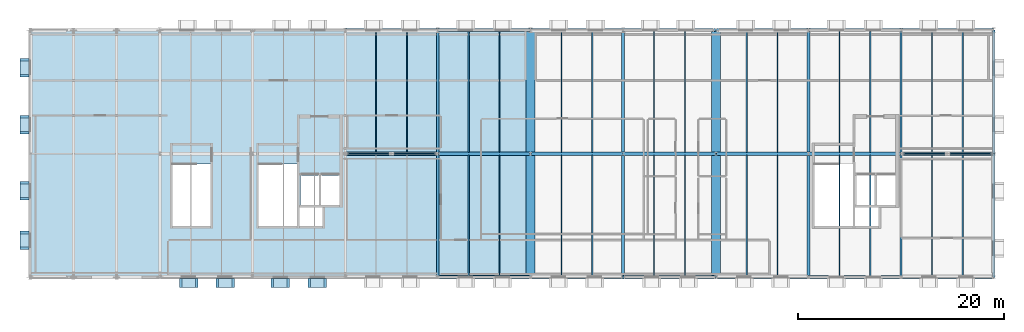
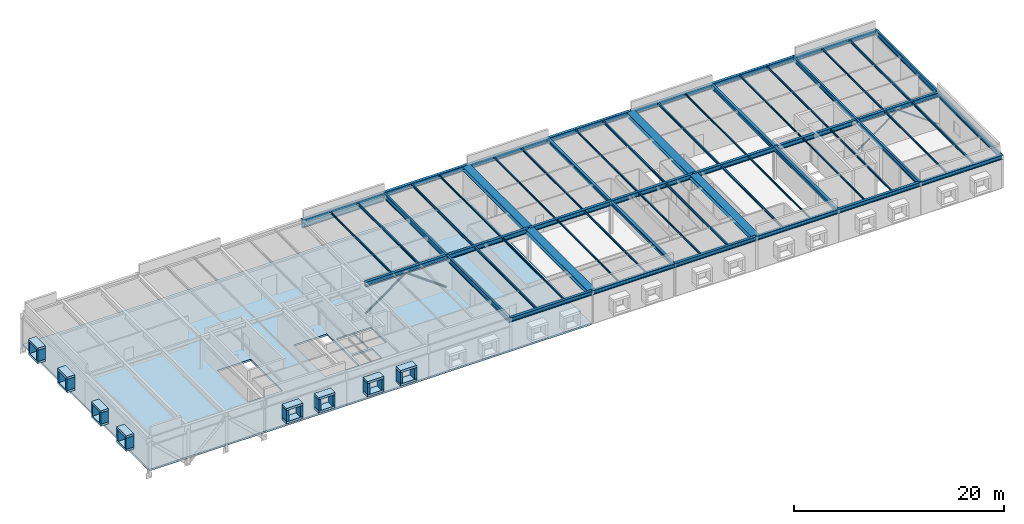
# One storey, part 5 of 16: 60 beams, 32 plates, 4 members, 1 slab.
"""IFC4 building model written with IfcOpenShell, lengths in metres."""

from ifc_helpers import new_model, si_unit, direction, frame, origin, origin_2d, place, context, subcontext, project, spatial, polyline, rectangle, hollow_circle, i_section, outline, extrude, material, layer, layer_set, material_profile, profile_set, type_object, element, save


model = new_model("IFC4")

# Units and contexts
model_context = context("Model", 3, precision=1e-05, world=origin(), true_north=direction((0.0, 1.0)))
body_context = subcontext(model_context, "Body", "Model", "MODEL_VIEW")
ifc_project = project(units=[si_unit("LENGTHUNIT", "METRE"), si_unit("AREAUNIT", "SQUARE_METRE"), si_unit("VOLUMEUNIT", "CUBIC_METRE"), si_unit("PLANEANGLEUNIT", "RADIAN"), si_unit("MASSUNIT", "GRAM", prefix="KILO")], contexts=[model_context])

# Site, building, storey
site_placement = place(None, origin())
site = spatial("IfcSite", under=ifc_project, at=site_placement, CompositionType="ELEMENT")
building_placement = place(site_placement, origin())
building = spatial("IfcBuilding", under=site, at=building_placement, Name="Montelvaro Courts of Justice", CompositionType="ELEMENT")
storey_placement = place(building_placement, frame((0.0, 0.0, 35.39990234375)))
storey = spatial("IfcBuildingStorey", under=building, at=storey_placement, Name="L08", CompositionType="ELEMENT", Elevation=35.39990234375)

# Beams
ifc_material_1 = material(Name="Steel S355", Category="steel")
ifc_material_profile_1 = material_profile(ifc_material_1, i_section(OverallWidth=0.300048828125, OverallDepth=0.389892578125, WebThickness=0.010986328125, FlangeThickness=0.01904296875, at=origin_2d()), Name="HEA 400")
ifc_profile_set_1 = profile_set([ifc_material_profile_1], Name="Steel S355")
beam_type_1 = type_object("IfcBeamType", Name="Beam_HEA400", PredefinedType="USERDEFINED", material=ifc_profile_set_1)
for number, where, z_axis, x_axis, name in (
    (1, (90.0, 0.0, 3.60498046875), (0.0, 1.0, 0.0), (-1.0, 0.0, 0.0), "Beam B-17 L08"),
    (2, (90.0, 12.0, 3.60498046875), (0.0, 1.0, 0.0), (-1.0, 0.0, 0.0), "Beam B-17 L08"),
):
    element("IfcBeam", number, at=place(storey_placement, frame(where, z_axis=z_axis, x_axis=x_axis)), inside=storey, type_object=beam_type_1, Name=name, ObjectType="GIRDER", PredefinedType="USERDEFINED", context=body_context, shape_type="SweptSolid", body=[
        extrude(i_section(OverallWidth=0.300048828125, OverallDepth=0.389892578125, WebThickness=0.010986328125, FlangeThickness=0.01904296875, at=origin_2d()), origin(), (0.0, 0.0, 1.0), 12.0),
    ])
ifc_material_profile_2 = material_profile(ifc_material_1, i_section(OverallWidth=0.300048828125, OverallDepth=0.489990234375, WebThickness=0.011962890625, FlangeThickness=0.02294921875, at=origin_2d()), Name="HEA 500")
ifc_profile_set_2 = profile_set([ifc_material_profile_2], Name="Steel S355")
beam_type_2 = type_object("IfcBeamType", Name="Beam_HEA500", PredefinedType="USERDEFINED", material=ifc_profile_set_2)
for number, where, z_axis, x_axis, name in (
    (3, (72.0, 0.0, 3.55517578125), (1.0, 0.0, 0.0), (0.0, 1.0, 0.0), "Beam B-19 L08"),
    (4, (81.050048828125, 0.0, 3.55517578125), (1.0, 0.0, 0.0), (0.0, 1.0, 0.0), "Beam B-19 L08"),
    (5, (90.0, 0.0, 3.55517578125), (1.0, 0.0, 0.0), (0.0, 1.0, 0.0), "Beam B-19 L08"),
    (6, (99.050048828125, 0.0, 3.55517578125), (1.0, 0.0, 0.0), (0.0, 1.0, 0.0), "Beam B-19 L08"),
):
    element("IfcBeam", number, at=place(storey_placement, frame(where, z_axis=z_axis, x_axis=x_axis)), inside=storey, type_object=beam_type_2, Name=name, ObjectType="GIRDER", PredefinedType="USERDEFINED", context=body_context, shape_type="SweptSolid", body=[
        extrude(i_section(OverallWidth=0.300048828125, OverallDepth=0.489990234375, WebThickness=0.011962890625, FlangeThickness=0.02294921875, at=origin_2d()), origin(), (0.0, 0.0, 1.0), 8.949951171875),
    ])
for number, where, z_axis, x_axis, name in (
    (7, (108.0, 0.0, 3.55517578125), (1.0, 0.0, 0.0), (0.0, 1.0, 0.0), "Beam B-19 L08"),
    (8, (117.0, 0.0, 3.55517578125), (1.0, 0.0, 0.0), (0.0, 1.0, 0.0), "Beam B-19 L08"),
):
    element("IfcBeam", number, at=place(storey_placement, frame(where, z_axis=z_axis, x_axis=x_axis)), inside=storey, type_object=beam_type_2, Name=name, ObjectType="GIRDER", PredefinedType="USERDEFINED", context=body_context, shape_type="SweptSolid", body=[
        extrude(i_section(OverallWidth=0.300048828125, OverallDepth=0.489990234375, WebThickness=0.011962890625, FlangeThickness=0.02294921875, at=origin_2d()), origin(), (0.0, 0.0, 1.0), 9.0),
    ])
for number, where, z_axis, x_axis, name in (
    (9, (108.0, 0.0, 3.55517578125), (0.0, 1.0, 0.0), (-1.0, 0.0, 0.0), "Beam B-19 L08"),
    (10, (108.0, 12.0, 3.55517578125), (0.0, 1.0, 0.0), (-1.0, 0.0, 0.0), "Beam B-19 L08"),
):
    element("IfcBeam", number, at=place(storey_placement, frame(where, z_axis=z_axis, x_axis=x_axis)), inside=storey, type_object=beam_type_2, Name=name, ObjectType="GIRDER", PredefinedType="USERDEFINED", context=body_context, shape_type="SweptSolid", body=[
        extrude(i_section(OverallWidth=0.300048828125, OverallDepth=0.489990234375, WebThickness=0.011962890625, FlangeThickness=0.02294921875, at=origin_2d()), origin(), (0.0, 0.0, 1.0), 12.0),
    ])
ifc_material_profile_3 = material_profile(ifc_material_1, i_section(OverallWidth=0.300048828125, OverallDepth=0.5400390625, WebThickness=0.012451171875, FlangeThickness=0.02392578125, at=origin_2d()), Name="HEA 550")
ifc_profile_set_3 = profile_set([ifc_material_profile_3], Name="Steel S355")
beam_type_3 = type_object("IfcBeamType", Name="Beam_HEA550", PredefinedType="USERDEFINED", material=ifc_profile_set_3)
beam_1_placement = place(storey_placement, frame((63.0, 12.0, 3.530029296875), z_axis=(1.0, 0.0, 0.0), x_axis=(0.0, 1.0, 0.0)))
element("IfcBeam", 11, at=beam_1_placement, inside=storey, type_object=beam_type_3, Name="Beam B-20 L08", ObjectType="GIRDER", PredefinedType="USERDEFINED", context=body_context, shape_type="SweptSolid", body=[
    extrude(i_section(OverallWidth=0.300048828125, OverallDepth=0.5400390625, WebThickness=0.012451171875, FlangeThickness=0.02392578125, at=origin_2d()), origin(), (0.0, 0.0, 1.0), 9.0),
])
for number, where, z_axis, x_axis, name in (
    (12, (72.0, 12.0, 3.530029296875), (1.0, 0.0, 0.0), (0.0, 1.0, 0.0), "Beam B-20 L08"),
    (13, (81.050048828125, 12.0, 3.530029296875), (1.0, 0.0, 0.0), (0.0, 1.0, 0.0), "Beam B-20 L08"),
    (14, (90.0, 12.0, 3.530029296875), (1.0, 0.0, 0.0), (0.0, 1.0, 0.0), "Beam B-20 L08"),
    (15, (99.050048828125, 12.0, 3.530029296875), (1.0, 0.0, 0.0), (0.0, 1.0, 0.0), "Beam B-20 L08"),
):
    element("IfcBeam", number, at=place(storey_placement, frame(where, z_axis=z_axis, x_axis=x_axis)), inside=storey, type_object=beam_type_3, Name=name, ObjectType="GIRDER", PredefinedType="USERDEFINED", context=body_context, shape_type="SweptSolid", body=[
        extrude(i_section(OverallWidth=0.300048828125, OverallDepth=0.5400390625, WebThickness=0.012451171875, FlangeThickness=0.02392578125, at=origin_2d()), origin(), (0.0, 0.0, 1.0), 8.949951171875),
    ])
for number, where, z_axis, x_axis, name in (
    (16, (108.0, 12.0, 3.530029296875), (1.0, 0.0, 0.0), (0.0, 1.0, 0.0), "Beam B-20 L08"),
    (17, (117.0, 12.0, 3.530029296875), (1.0, 0.0, 0.0), (0.0, 1.0, 0.0), "Beam B-20 L08"),
):
    element("IfcBeam", number, at=place(storey_placement, frame(where, z_axis=z_axis, x_axis=x_axis)), inside=storey, type_object=beam_type_3, Name=name, ObjectType="GIRDER", PredefinedType="USERDEFINED", context=body_context, shape_type="SweptSolid", body=[
        extrude(i_section(OverallWidth=0.300048828125, OverallDepth=0.5400390625, WebThickness=0.012451171875, FlangeThickness=0.02392578125, at=origin_2d()), origin(), (0.0, 0.0, 1.0), 9.0),
    ])
ifc_material_profile_4 = material_profile(ifc_material_1, i_section(OverallWidth=0.300048828125, OverallDepth=0.590087890625, WebThickness=0.012939453125, FlangeThickness=0.02490234375, at=origin_2d()), Name="HEA 600")
ifc_profile_set_4 = profile_set([ifc_material_profile_4], Name="Steel S355")
beam_type_4 = type_object("IfcBeamType", Name="Beam_HEA600", PredefinedType="USERDEFINED", material=ifc_profile_set_4)
for number, where, z_axis, x_axis, name in (
    (18, (72.0, 24.0, 3.505126953125), (1.0, 0.0, 0.0), (0.0, 1.0, 0.0), "Beam B-21 L08"),
    (19, (81.050048828125, 24.0, 3.505126953125), (1.0, 0.0, 0.0), (0.0, 1.0, 0.0), "Beam B-21 L08"),
    (20, (90.0, 24.0, 3.505126953125), (1.0, 0.0, 0.0), (0.0, 1.0, 0.0), "Beam B-21 L08"),
    (21, (99.050048828125, 24.0, 3.505126953125), (1.0, 0.0, 0.0), (0.0, 1.0, 0.0), "Beam B-21 L08"),
):
    element("IfcBeam", number, at=place(storey_placement, frame(where, z_axis=z_axis, x_axis=x_axis)), inside=storey, type_object=beam_type_4, Name=name, ObjectType="GIRDER", PredefinedType="USERDEFINED", context=body_context, shape_type="SweptSolid", body=[
        extrude(i_section(OverallWidth=0.300048828125, OverallDepth=0.590087890625, WebThickness=0.012939453125, FlangeThickness=0.02490234375, at=origin_2d()), origin(), (0.0, 0.0, 1.0), 8.949951171875),
    ])
for number, where, z_axis, x_axis, name in (
    (22, (108.0, 24.0, 3.505126953125), (1.0, 0.0, 0.0), (0.0, 1.0, 0.0), "Beam B-21 L08"),
    (23, (117.0, 24.0, 3.505126953125), (1.0, 0.0, 0.0), (0.0, 1.0, 0.0), "Beam B-21 L08"),
):
    element("IfcBeam", number, at=place(storey_placement, frame(where, z_axis=z_axis, x_axis=x_axis)), inside=storey, type_object=beam_type_4, Name=name, ObjectType="GIRDER", PredefinedType="USERDEFINED", context=body_context, shape_type="SweptSolid", body=[
        extrude(i_section(OverallWidth=0.300048828125, OverallDepth=0.590087890625, WebThickness=0.012939453125, FlangeThickness=0.02490234375, at=origin_2d()), origin(), (0.0, 0.0, 1.0), 9.0),
    ])
ifc_material_profile_5 = material_profile(ifc_material_1, i_section(OverallWidth=0.302001953125, OverallDepth=1.008056640625, WebThickness=0.02099609375, FlangeThickness=0.0400390625, at=origin_2d()), Name="HEM 1000")
ifc_profile_set_5 = profile_set([ifc_material_profile_5], Name="Steel S355")
beam_type_5 = type_object("IfcBeamType", Name="Beam_HEM1000", PredefinedType="USERDEFINED", material=ifc_profile_set_5)
beam_2_placement = place(storey_placement, frame((72.0, 24.0, 3.296142578125), z_axis=(-1.0, 0.0, 0.0), x_axis=(0.0, -1.0, 0.0)))
element("IfcBeam", 24, at=beam_2_placement, inside=storey, type_object=beam_type_5, Name="Pratt Cantilever Truss Chord CTR-BAR3-N-RF-BS1", ObjectType="GIRDER", PredefinedType="USERDEFINED", context=body_context, shape_type="SweptSolid", body=[
    extrude(i_section(OverallWidth=0.302001953125, OverallDepth=1.008056640625, WebThickness=0.02099609375, FlangeThickness=0.0400390625, at=origin_2d()), origin(), (0.0, 0.0, 1.0), 9.0),
])
ifc_material_profile_6 = material_profile(ifc_material_1, i_section(OverallWidth=0.10009765625, OverallDepth=0.199951171875, WebThickness=0.005615234375, FlangeThickness=0.008544921875, at=origin_2d()), Name="IPE 200")
ifc_profile_set_6 = profile_set([ifc_material_profile_6], Name="Steel S355")
beam_type_6 = type_object("IfcBeamType", Name="Beam_IPE200", PredefinedType="JOIST", material=ifc_profile_set_6)
for number, where, z_axis, x_axis, name in (
    (25, (78.0, 0.110107421875, 3.7001953125), (0.0, 1.0, 0.0), (-1.0, 0.0, 0.0), "Beam B-01 L08"),
    (26, (78.0, 12.110107421875, 3.7001953125), (0.0, 1.0, 0.0), (-1.0, 0.0, 0.0), "Beam B-01 L08"),
    (27, (84.0, 0.110107421875, 3.7001953125), (0.0, 1.0, 0.0), (-1.0, 0.0, 0.0), "Beam B-01 L08"),
    (28, (84.0, 12.110107421875, 3.7001953125), (0.0, 1.0, 0.0), (-1.0, 0.0, 0.0), "Beam B-01 L08"),
    (29, (105.0, 0.110107421875, 3.7001953125), (0.0, 1.0, 0.0), (-1.0, 0.0, 0.0), "Beam B-01 L08"),
    (30, (105.0, 12.110107421875, 3.7001953125), (0.0, 1.0, 0.0), (-1.0, 0.0, 0.0), "Beam B-01 L08"),
    (31, (111.0, 0.110107421875, 3.7001953125), (0.0, 1.0, 0.0), (-1.0, 0.0, 0.0), "Beam B-01 L08"),
    (32, (111.0, 12.110107421875, 3.7001953125), (0.0, 1.0, 0.0), (-1.0, 0.0, 0.0), "Beam B-01 L08"),
):
    element("IfcBeam", number, at=place(storey_placement, frame(where, z_axis=z_axis, x_axis=x_axis)), inside=storey, type_object=beam_type_6, Name=name, PredefinedType="JOIST", context=body_context, shape_type="SweptSolid", body=[
        extrude(i_section(OverallWidth=0.10009765625, OverallDepth=0.199951171875, WebThickness=0.005615234375, FlangeThickness=0.008544921875, at=origin_2d()), origin(), (0.0, 0.0, 1.0), 11.77978515625),
    ])
ifc_material_profile_7 = material_profile(ifc_material_1, i_section(OverallWidth=0.110107421875, OverallDepth=0.219970703125, WebThickness=0.005859375, FlangeThickness=0.00927734375, at=origin_2d()), Name="IPE 220")
ifc_profile_set_7 = profile_set([ifc_material_profile_7], Name="Steel S355")
beam_type_7 = type_object("IfcBeamType", Name="Beam_IPE220", PredefinedType="JOIST", material=ifc_profile_set_7)
for number, where, z_axis, x_axis, name in (
    (33, (66.0, 12.110107421875, 3.690185546875), (0.0, 1.0, 0.0), (-1.0, 0.0, 0.0), "Beam B-02 L08"),
    (34, (87.0, 0.110107421875, 3.690185546875), (0.0, 1.0, 0.0), (-1.0, 0.0, 0.0), "Beam B-02 L08"),
    (35, (87.0, 12.110107421875, 3.690185546875), (0.0, 1.0, 0.0), (-1.0, 0.0, 0.0), "Beam B-02 L08"),
    (36, (93.0, 0.110107421875, 3.690185546875), (0.0, 1.0, 0.0), (-1.0, 0.0, 0.0), "Beam B-02 L08"),
    (37, (93.0, 12.110107421875, 3.690185546875), (0.0, 1.0, 0.0), (-1.0, 0.0, 0.0), "Beam B-02 L08"),
    (38, (114.0, 0.110107421875, 3.690185546875), (0.0, 1.0, 0.0), (-1.0, 0.0, 0.0), "Beam B-02 L08"),
    (39, (114.0, 12.110107421875, 3.690185546875), (0.0, 1.0, 0.0), (-1.0, 0.0, 0.0), "Beam B-02 L08"),
    (40, (120.0, 0.110107421875, 3.690185546875), (0.0, 1.0, 0.0), (-1.0, 0.0, 0.0), "Beam B-02 L08"),
    (41, (120.0, 12.110107421875, 3.690185546875), (0.0, 1.0, 0.0), (-1.0, 0.0, 0.0), "Beam B-02 L08"),
):
    element("IfcBeam", number, at=place(storey_placement, frame(where, z_axis=z_axis, x_axis=x_axis)), inside=storey, type_object=beam_type_7, Name=name, PredefinedType="JOIST", context=body_context, shape_type="SweptSolid", body=[
        extrude(i_section(OverallWidth=0.110107421875, OverallDepth=0.219970703125, WebThickness=0.005859375, FlangeThickness=0.00927734375, at=origin_2d()), origin(), (0.0, 0.0, 1.0), 11.77978515625),
    ])
ifc_material_profile_8 = material_profile(ifc_material_1, i_section(OverallWidth=0.135009765625, OverallDepth=0.27001953125, WebThickness=0.006591796875, FlangeThickness=0.01025390625, at=origin_2d()), Name="IPE 270")
ifc_profile_set_8 = profile_set([ifc_material_profile_8], Name="Steel S355")
beam_type_8 = type_object("IfcBeamType", Name="Beam_IPE270", PredefinedType="JOIST", material=ifc_profile_set_8)
for number, where, z_axis, x_axis, name in (
    (42, (69.0, 12.110107421875, 3.6650390625), (0.0, 1.0, 0.0), (-1.0, 0.0, 0.0), "Beam B-04 L08"),
    (43, (75.0, 0.110107421875, 3.6650390625), (0.0, 1.0, 0.0), (-1.0, 0.0, 0.0), "Beam B-04 L08"),
    (44, (75.0, 12.110107421875, 3.6650390625), (0.0, 1.0, 0.0), (-1.0, 0.0, 0.0), "Beam B-04 L08"),
    (45, (96.0, 0.110107421875, 3.6650390625), (0.0, 1.0, 0.0), (-1.0, 0.0, 0.0), "Beam B-04 L08"),
    (46, (96.0, 12.110107421875, 3.6650390625), (0.0, 1.0, 0.0), (-1.0, 0.0, 0.0), "Beam B-04 L08"),
    (47, (102.0, 0.110107421875, 3.6650390625), (0.0, 1.0, 0.0), (-1.0, 0.0, 0.0), "Beam B-04 L08"),
    (48, (102.0, 12.110107421875, 3.6650390625), (0.0, 1.0, 0.0), (-1.0, 0.0, 0.0), "Beam B-04 L08"),
    (49, (123.0, 0.110107421875, 3.6650390625), (0.0, 1.0, 0.0), (-1.0, 0.0, 0.0), "Beam B-04 L08"),
    (50, (123.0, 12.110107421875, 3.6650390625), (0.0, 1.0, 0.0), (-1.0, 0.0, 0.0), "Beam B-04 L08"),
):
    element("IfcBeam", number, at=place(storey_placement, frame(where, z_axis=z_axis, x_axis=x_axis)), inside=storey, type_object=beam_type_8, Name=name, PredefinedType="JOIST", context=body_context, shape_type="SweptSolid", body=[
        extrude(i_section(OverallWidth=0.135009765625, OverallDepth=0.27001953125, WebThickness=0.006591796875, FlangeThickness=0.01025390625, at=origin_2d()), origin(), (0.0, 0.0, 1.0), 11.77978515625),
    ])
ifc_material_profile_9 = material_profile(ifc_material_1, i_section(OverallWidth=0.2099609375, OverallDepth=0.550048828125, WebThickness=0.010986328125, FlangeThickness=0.01708984375, at=origin_2d()), Name="IPE 550")
ifc_profile_set_9 = profile_set([ifc_material_profile_9], Name="Steel S355")
beam_type_9 = type_object("IfcBeamType", Name="Beam_IPE550", PredefinedType="BEAM", material=ifc_profile_set_9)
for number, where, z_axis, x_axis, name in (
    (51, (117.0, 0.0, 3.525146484375), (0.0, 1.0, 0.0), (-1.0, 0.0, 0.0), "Beam B-11 L08"),
    (52, (117.0, 12.0, 3.525146484375), (0.0, 1.0, 0.0), (-1.0, 0.0, 0.0), "Beam B-11 L08"),
):
    element("IfcBeam", number, at=place(storey_placement, frame(where, z_axis=z_axis, x_axis=x_axis)), inside=storey, type_object=beam_type_9, Name=name, PredefinedType="BEAM", context=body_context, shape_type="SweptSolid", body=[
        extrude(i_section(OverallWidth=0.2099609375, OverallDepth=0.550048828125, WebThickness=0.010986328125, FlangeThickness=0.01708984375, at=origin_2d()), origin(), (0.0, 0.0, 1.0), 12.0),
    ])
ifc_material_profile_10 = material_profile(ifc_material_1, i_section(OverallWidth=0.219970703125, OverallDepth=0.60009765625, WebThickness=0.011962890625, FlangeThickness=0.01904296875, at=origin_2d()), Name="IPE 600")
ifc_profile_set_10 = profile_set([ifc_material_profile_10], Name="Steel S355")
beam_type_10 = type_object("IfcBeamType", Name="Beam_IPE600", PredefinedType="USERDEFINED", material=ifc_profile_set_10)
for number, where, z_axis, x_axis, name in (
    (53, (72.0, 0.0, 3.5), (0.0, 1.0, 0.0), (-1.0, 0.0, 0.0), "Beam B-12 L08"),
    (54, (72.0, 12.0, 3.5), (0.0, 1.0, 0.0), (-1.0, 0.0, 0.0), "Beam B-12 L08"),
    (55, (126.0, 0.0, 3.5), (0.0, 1.0, 0.0), (-1.0, 0.0, 0.0), "Beam B-12 L08"),
    (56, (126.0, 12.0, 3.5), (0.0, 1.0, 0.0), (-1.0, 0.0, 0.0), "Beam B-12 L08"),
):
    element("IfcBeam", number, at=place(storey_placement, frame(where, z_axis=z_axis, x_axis=x_axis)), inside=storey, type_object=beam_type_10, Name=name, ObjectType="GIRDER", PredefinedType="USERDEFINED", context=body_context, shape_type="SweptSolid", body=[
        extrude(i_section(OverallWidth=0.219970703125, OverallDepth=0.60009765625, WebThickness=0.011962890625, FlangeThickness=0.01904296875, at=origin_2d()), origin(), (0.0, 0.0, 1.0), 12.0),
    ])
ifc_material_profile_11 = material_profile(ifc_material_1, i_section(OverallWidth=0.860107421875, OverallDepth=0.47998046875, WebThickness=0.02001953125, FlangeThickness=0.031982421875, at=origin_2d()), Name="HL 480x860")
ifc_profile_set_11 = profile_set([ifc_material_profile_11], Name="Steel S355")
beam_type_11 = type_object("IfcBeamType", Name="Beam_MJSeat_860", PredefinedType="USERDEFINED", material=ifc_profile_set_11)
for number, where, z_axis, x_axis, name in (
    (57, (81.0, 0.0, 3.56005859375), (0.0, 1.0, 0.0), (-1.0, 0.0, 0.0), "Beam BC-01 L08"),
    (58, (81.0, 12.0, 3.56005859375), (0.0, 1.0, 0.0), (-1.0, 0.0, 0.0), "Beam BC-01 L08"),
    (59, (99.0, 0.0, 3.56005859375), (0.0, 1.0, 0.0), (-1.0, 0.0, 0.0), "Beam BC-01 L08"),
    (60, (99.0, 12.0, 3.56005859375), (0.0, 1.0, 0.0), (-1.0, 0.0, 0.0), "Beam BC-01 L08"),
):
    element("IfcBeam", number, at=place(storey_placement, frame(where, z_axis=z_axis, x_axis=x_axis)), inside=storey, type_object=beam_type_11, Name=name, ObjectType="GIRDER", PredefinedType="USERDEFINED", context=body_context, shape_type="SweptSolid", body=[
        extrude(i_section(OverallWidth=0.860107421875, OverallDepth=0.47998046875, WebThickness=0.02001953125, FlangeThickness=0.031982421875, at=origin_2d()), origin(), (0.0, 0.0, 1.0), 12.0),
    ])

# Members
ifc_material_profile_12 = material_profile(ifc_material_1, hollow_circle(Radius=0.084228515625, WallThickness=0.008056640625, at=origin_2d()), Name="CHS 168.3x8")
ifc_profile_set_12 = profile_set([ifc_material_profile_12], Name="Steel S355")
member_type = type_object("IfcMemberType", Name="Mem_CHS168_Brace", PredefinedType="BRACE", material=ifc_profile_set_12)
for number, where, z_axis, x_axis, name in (
    (61, (63.080078125, 12.0, 0.080078125), (0.810001481996, 0.0, 0.586427829459), (0.0, 1.0, 0.0), "Lateral Braced Frame CBF1 Diagonal 1 (L08)"),
    (62, (71.919921875, 12.0, 0.080078125), (-0.810001481996, 0.0, 0.586427829459), (0.0, -1.0, 0.0), "Lateral Braced Frame CBF1 Diagonal 2 (L08)"),
    (63, (117.080078125, 12.0, 0.080078125), (0.810001481996, 0.0, 0.586427829459), (0.0, 1.0, 0.0), "Lateral Braced Frame CBF2 Diagonal 1 (L08)"),
    (64, (125.919921875, 12.0, 0.080078125), (-0.810001481996, 0.0, 0.586427829459), (0.0, -1.0, 0.0), "Lateral Braced Frame CBF2 Diagonal 2 (L08)"),
):
    element("IfcMember", number, at=place(storey_placement, frame(where, z_axis=z_axis, x_axis=x_axis)), inside=storey, type_object=member_type, Name=name, PredefinedType="BRACE", context=body_context, shape_type="SweptSolid", body=[
        extrude(hollow_circle(Radius=0.084228515625, WallThickness=0.008056640625, at=origin_2d()), origin(), (0.0, 0.0, 1.0), 5.456787109375),
    ])

# Slab
ifc_material_2 = material(Name="Concrete C35/45", Category="concrete")
ifc_layer_1 = layer(ifc_material_2, 0.199951171875)
ifc_layer_set_1 = layer_set([ifc_layer_1], Name="Concrete C35/45")
slab_type = type_object("IfcSlabType", Name="FloorSlab_200", PredefinedType="FLOOR", material=ifc_layer_set_1)
slab_placement = place(storey_placement, frame((0.0, 0.0, -0.199951171875)))
element("IfcSlab", 65, at=slab_placement, inside=storey, type_object=slab_type, Name="Structural Slab SF-09 L08", PredefinedType="FLOOR", context=body_context, shape_type="SweptSolid", body=[
    extrude(outline(polyline([(32.39990234375, 0.0), (80.949951171875, 0.0), (80.949951171875, 24.0), (32.39990234375, 24.0), (32.39990234375, 0.0)]), holes=[polyline([(54.60009765625, 5.0), (58.300048828125, 5.0), (58.300048828125, 11.0), (54.60009765625, 11.0), (54.60009765625, 5.0)]), polyline([(58.5400390625, 5.0), (60.800048828125, 5.0), (60.800048828125, 6.760009765625), (58.5400390625, 6.760009765625), (58.5400390625, 5.0)]), polyline([(58.64990234375, 7.0), (60.5, 7.0), (60.5, 9.89990234375), (58.64990234375, 9.89990234375), (58.64990234375, 7.0)]), polyline([(60.60009765625, 7.0), (62.449951171875, 7.0), (62.449951171875, 9.89990234375), (60.60009765625, 9.89990234375), (60.60009765625, 7.0)]), polyline([(46.199951171875, 5.0), (49.89990234375, 5.0), (49.89990234375, 11.0), (46.199951171875, 11.0), (46.199951171875, 5.0)])]), origin(), (0.0, 0.0, 1.0), 0.199951171875),
])

# Plates
ifc_material_3 = material(Name="White mineral precast concrete C45/55", Category="concrete")
ifc_layer_2 = layer(ifc_material_3, 0.25)
ifc_layer_set_2 = layer_set([ifc_layer_2], Name="White mineral precast concrete C45/55")
plate_type = type_object("IfcPlateType", Name="PrecastSquareFrame_250x850", PredefinedType="SHEET", material=ifc_layer_set_2)
for number, where, z_axis, x_axis, name in (
    (66, (47.7939453125, -0.56005859375, 2.35009765625), (0.0, 0.0, 1.0), (1.0, 0.0, 0.0), "Graduated Square Window Frame PF-03 W-L08-370 TOP"),
    (67, (47.7939453125, -0.56005859375, 0.800048828125), (0.0, 0.0, 1.0), (1.0, 0.0, 0.0), "Graduated Square Window Frame PF-03 W-L08-370 BOT"),
):
    element("IfcPlate", number, at=place(storey_placement, frame(where, z_axis=z_axis, x_axis=x_axis)), inside=storey, type_object=plate_type, Name=name, PredefinedType="SHEET", context=body_context, shape_type="SweptSolid", body=[
        extrude(rectangle(XDim=1.800048828125, YDim=0.860107421875, at=origin_2d()), origin(), (0.0, 0.0, 1.0), 0.25),
    ])
for number, where, z_axis, x_axis, name in (
    (68, (47.01904296875, -0.56005859375, 1.05029296875), (0.0, 0.0, 1.0), (1.0, 0.0, 0.0), "Graduated Square Window Frame PF-03 W-L08-370 L"),
    (69, (48.569091796875, -0.56005859375, 1.05029296875), (0.0, 0.0, 1.0), (1.0, 0.0, 0.0), "Graduated Square Window Frame PF-03 W-L08-370 R"),
):
    element("IfcPlate", number, at=place(storey_placement, frame(where, z_axis=z_axis, x_axis=x_axis)), inside=storey, type_object=plate_type, Name=name, PredefinedType="SHEET", context=body_context, shape_type="SweptSolid", body=[
        extrude(rectangle(XDim=0.25, YDim=0.860107421875, at=origin_2d()), origin(), (0.0, 0.0, 1.0), 1.300048828125),
    ])
for number, where, z_axis, x_axis, name in (
    (70, (51.3359375, -0.56005859375, 2.35009765625), (0.0, 0.0, 1.0), (1.0, 0.0, 0.0), "Graduated Square Window Frame PF-03 W-L08-371 TOP"),
    (71, (51.3359375, -0.56005859375, 0.800048828125), (0.0, 0.0, 1.0), (1.0, 0.0, 0.0), "Graduated Square Window Frame PF-03 W-L08-371 BOT"),
):
    element("IfcPlate", number, at=place(storey_placement, frame(where, z_axis=z_axis, x_axis=x_axis)), inside=storey, type_object=plate_type, Name=name, PredefinedType="SHEET", context=body_context, shape_type="SweptSolid", body=[
        extrude(rectangle(XDim=1.800048828125, YDim=0.860107421875, at=origin_2d()), origin(), (0.0, 0.0, 1.0), 0.25),
    ])
for number, where, z_axis, x_axis, name in (
    (72, (50.56103515625, -0.56005859375, 1.05029296875), (0.0, 0.0, 1.0), (1.0, 0.0, 0.0), "Graduated Square Window Frame PF-03 W-L08-371 L"),
    (73, (52.111083984375, -0.56005859375, 1.05029296875), (0.0, 0.0, 1.0), (1.0, 0.0, 0.0), "Graduated Square Window Frame PF-03 W-L08-371 R"),
):
    element("IfcPlate", number, at=place(storey_placement, frame(where, z_axis=z_axis, x_axis=x_axis)), inside=storey, type_object=plate_type, Name=name, PredefinedType="SHEET", context=body_context, shape_type="SweptSolid", body=[
        extrude(rectangle(XDim=0.25, YDim=0.860107421875, at=origin_2d()), origin(), (0.0, 0.0, 1.0), 1.300048828125),
    ])
for number, where, z_axis, x_axis, name in (
    (74, (56.702880859375, -0.56005859375, 2.35009765625), (0.0, 0.0, 1.0), (1.0, 0.0, 0.0), "Graduated Square Window Frame PF-03 W-L08-372 TOP"),
    (75, (56.702880859375, -0.56005859375, 0.800048828125), (0.0, 0.0, 1.0), (1.0, 0.0, 0.0), "Graduated Square Window Frame PF-03 W-L08-372 BOT"),
):
    element("IfcPlate", number, at=place(storey_placement, frame(where, z_axis=z_axis, x_axis=x_axis)), inside=storey, type_object=plate_type, Name=name, PredefinedType="SHEET", context=body_context, shape_type="SweptSolid", body=[
        extrude(rectangle(XDim=1.800048828125, YDim=0.860107421875, at=origin_2d()), origin(), (0.0, 0.0, 1.0), 0.25),
    ])
for number, where, z_axis, x_axis, name in (
    (76, (55.927978515625, -0.56005859375, 1.05029296875), (0.0, 0.0, 1.0), (1.0, 0.0, 0.0), "Graduated Square Window Frame PF-03 W-L08-372 L"),
    (77, (57.47802734375, -0.56005859375, 1.05029296875), (0.0, 0.0, 1.0), (1.0, 0.0, 0.0), "Graduated Square Window Frame PF-03 W-L08-372 R"),
):
    element("IfcPlate", number, at=place(storey_placement, frame(where, z_axis=z_axis, x_axis=x_axis)), inside=storey, type_object=plate_type, Name=name, PredefinedType="SHEET", context=body_context, shape_type="SweptSolid", body=[
        extrude(rectangle(XDim=0.25, YDim=0.860107421875, at=origin_2d()), origin(), (0.0, 0.0, 1.0), 1.300048828125),
    ])
for number, where, z_axis, x_axis, name in (
    (78, (60.297119140625, -0.56005859375, 2.35009765625), (0.0, 0.0, 1.0), (1.0, 0.0, 0.0), "Graduated Square Window Frame PF-03 W-L08-373 TOP"),
    (79, (60.297119140625, -0.56005859375, 0.800048828125), (0.0, 0.0, 1.0), (1.0, 0.0, 0.0), "Graduated Square Window Frame PF-03 W-L08-373 BOT"),
):
    element("IfcPlate", number, at=place(storey_placement, frame(where, z_axis=z_axis, x_axis=x_axis)), inside=storey, type_object=plate_type, Name=name, PredefinedType="SHEET", context=body_context, shape_type="SweptSolid", body=[
        extrude(rectangle(XDim=1.800048828125, YDim=0.860107421875, at=origin_2d()), origin(), (0.0, 0.0, 1.0), 0.25),
    ])
for number, where, z_axis, x_axis, name in (
    (80, (59.52197265625, -0.56005859375, 1.05029296875), (0.0, 0.0, 1.0), (1.0, 0.0, 0.0), "Graduated Square Window Frame PF-03 W-L08-373 L"),
    (81, (61.072021484375, -0.56005859375, 1.05029296875), (0.0, 0.0, 1.0), (1.0, 0.0, 0.0), "Graduated Square Window Frame PF-03 W-L08-373 R"),
):
    element("IfcPlate", number, at=place(storey_placement, frame(where, z_axis=z_axis, x_axis=x_axis)), inside=storey, type_object=plate_type, Name=name, PredefinedType="SHEET", context=body_context, shape_type="SweptSolid", body=[
        extrude(rectangle(XDim=0.25, YDim=0.860107421875, at=origin_2d()), origin(), (0.0, 0.0, 1.0), 1.300048828125),
    ])
for number, where, z_axis, x_axis, name in (
    (82, (31.840087890625, 20.368896484375, 2.35009765625), (0.0, 0.0, 1.0), (0.0, -1.0, 0.0), "Graduated Square Window Frame PF-03 W-L08-386 TOP"),
    (83, (31.840087890625, 20.368896484375, 0.800048828125), (0.0, 0.0, 1.0), (0.0, -1.0, 0.0), "Graduated Square Window Frame PF-03 W-L08-386 BOT"),
):
    element("IfcPlate", number, at=place(storey_placement, frame(where, z_axis=z_axis, x_axis=x_axis)), inside=storey, type_object=plate_type, Name=name, PredefinedType="SHEET", context=body_context, shape_type="SweptSolid", body=[
        extrude(rectangle(XDim=1.800048828125, YDim=0.860107421875, at=origin_2d()), origin(), (0.0, 0.0, 1.0), 0.25),
    ])
for number, where, z_axis, x_axis, name in (
    (84, (31.840087890625, 21.14404296875, 1.05029296875), (0.0, 0.0, 1.0), (0.0, -1.0, 0.0), "Graduated Square Window Frame PF-03 W-L08-386 L"),
    (85, (31.840087890625, 19.593994140625, 1.05029296875), (0.0, 0.0, 1.0), (0.0, -1.0, 0.0), "Graduated Square Window Frame PF-03 W-L08-386 R"),
):
    element("IfcPlate", number, at=place(storey_placement, frame(where, z_axis=z_axis, x_axis=x_axis)), inside=storey, type_object=plate_type, Name=name, PredefinedType="SHEET", context=body_context, shape_type="SweptSolid", body=[
        extrude(rectangle(XDim=0.25, YDim=0.860107421875, at=origin_2d()), origin(), (0.0, 0.0, 1.0), 1.300048828125),
    ])
for number, where, z_axis, x_axis, name in (
    (86, (31.840087890625, 14.81005859375, 2.35009765625), (0.0, 0.0, 1.0), (0.0, -1.0, 0.0), "Graduated Square Window Frame PF-03 W-L08-387 TOP"),
    (87, (31.840087890625, 14.81005859375, 0.800048828125), (0.0, 0.0, 1.0), (0.0, -1.0, 0.0), "Graduated Square Window Frame PF-03 W-L08-387 BOT"),
):
    element("IfcPlate", number, at=place(storey_placement, frame(where, z_axis=z_axis, x_axis=x_axis)), inside=storey, type_object=plate_type, Name=name, PredefinedType="SHEET", context=body_context, shape_type="SweptSolid", body=[
        extrude(rectangle(XDim=1.800048828125, YDim=0.860107421875, at=origin_2d()), origin(), (0.0, 0.0, 1.0), 0.25),
    ])
for number, where, z_axis, x_axis, name in (
    (88, (31.840087890625, 15.5849609375, 1.05029296875), (0.0, 0.0, 1.0), (0.0, -1.0, 0.0), "Graduated Square Window Frame PF-03 W-L08-387 L"),
    (89, (31.840087890625, 14.034912109375, 1.05029296875), (0.0, 0.0, 1.0), (0.0, -1.0, 0.0), "Graduated Square Window Frame PF-03 W-L08-387 R"),
):
    element("IfcPlate", number, at=place(storey_placement, frame(where, z_axis=z_axis, x_axis=x_axis)), inside=storey, type_object=plate_type, Name=name, PredefinedType="SHEET", context=body_context, shape_type="SweptSolid", body=[
        extrude(rectangle(XDim=0.25, YDim=0.860107421875, at=origin_2d()), origin(), (0.0, 0.0, 1.0), 1.300048828125),
    ])
for number, where, z_axis, x_axis, name in (
    (90, (31.840087890625, 8.39501953125, 2.35009765625), (0.0, 0.0, 1.0), (0.0, -1.0, 0.0), "Graduated Square Window Frame PF-03 W-L08-388 TOP"),
    (91, (31.840087890625, 8.39501953125, 0.800048828125), (0.0, 0.0, 1.0), (0.0, -1.0, 0.0), "Graduated Square Window Frame PF-03 W-L08-388 BOT"),
):
    element("IfcPlate", number, at=place(storey_placement, frame(where, z_axis=z_axis, x_axis=x_axis)), inside=storey, type_object=plate_type, Name=name, PredefinedType="SHEET", context=body_context, shape_type="SweptSolid", body=[
        extrude(rectangle(XDim=1.800048828125, YDim=0.860107421875, at=origin_2d()), origin(), (0.0, 0.0, 1.0), 0.25),
    ])
for number, where, z_axis, x_axis, name in (
    (92, (31.840087890625, 9.169921875, 1.05029296875), (0.0, 0.0, 1.0), (0.0, -1.0, 0.0), "Graduated Square Window Frame PF-03 W-L08-388 L"),
    (93, (31.840087890625, 7.6201171875, 1.05029296875), (0.0, 0.0, 1.0), (0.0, -1.0, 0.0), "Graduated Square Window Frame PF-03 W-L08-388 R"),
):
    element("IfcPlate", number, at=place(storey_placement, frame(where, z_axis=z_axis, x_axis=x_axis)), inside=storey, type_object=plate_type, Name=name, PredefinedType="SHEET", context=body_context, shape_type="SweptSolid", body=[
        extrude(rectangle(XDim=0.25, YDim=0.860107421875, at=origin_2d()), origin(), (0.0, 0.0, 1.0), 1.300048828125),
    ])
for number, where, z_axis, x_axis, name in (
    (94, (31.840087890625, 3.574951171875, 2.35009765625), (0.0, 0.0, 1.0), (0.0, -1.0, 0.0), "Graduated Square Window Frame PF-03 W-L08-389 TOP"),
    (95, (31.840087890625, 3.574951171875, 0.800048828125), (0.0, 0.0, 1.0), (0.0, -1.0, 0.0), "Graduated Square Window Frame PF-03 W-L08-389 BOT"),
):
    element("IfcPlate", number, at=place(storey_placement, frame(where, z_axis=z_axis, x_axis=x_axis)), inside=storey, type_object=plate_type, Name=name, PredefinedType="SHEET", context=body_context, shape_type="SweptSolid", body=[
        extrude(rectangle(XDim=1.800048828125, YDim=0.860107421875, at=origin_2d()), origin(), (0.0, 0.0, 1.0), 0.25),
    ])
for number, where, z_axis, x_axis, name in (
    (96, (31.840087890625, 4.35009765625, 1.05029296875), (0.0, 0.0, 1.0), (0.0, -1.0, 0.0), "Graduated Square Window Frame PF-03 W-L08-389 L"),
    (97, (31.840087890625, 2.800048828125, 1.05029296875), (0.0, 0.0, 1.0), (0.0, -1.0, 0.0), "Graduated Square Window Frame PF-03 W-L08-389 R"),
):
    element("IfcPlate", number, at=place(storey_placement, frame(where, z_axis=z_axis, x_axis=x_axis)), inside=storey, type_object=plate_type, Name=name, PredefinedType="SHEET", context=body_context, shape_type="SweptSolid", body=[
        extrude(rectangle(XDim=0.25, YDim=0.860107421875, at=origin_2d()), origin(), (0.0, 0.0, 1.0), 1.300048828125),
    ])

save(model, "model.ifc")
